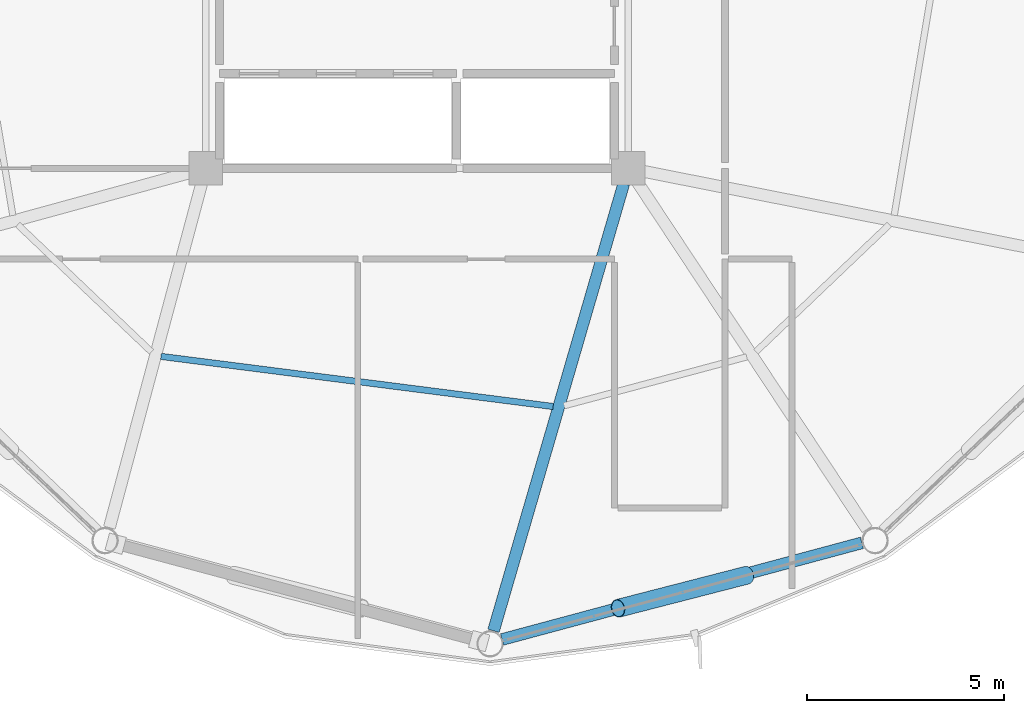
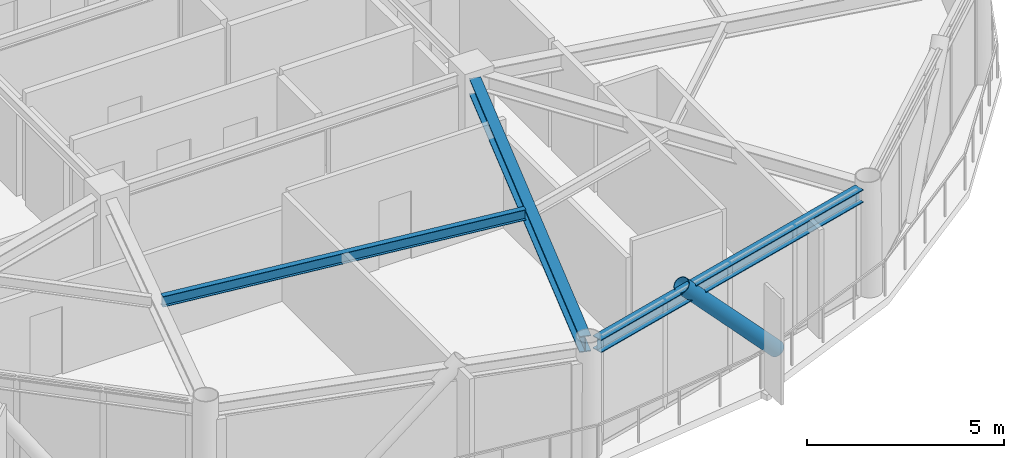
# One storey, part 8 of 28: 3 beams, 1 member.
"""IFC4 building model written with IfcOpenShell, lengths in metres."""

from ifc_helpers import new_model, si_unit, direction, frame, origin, origin_2d, place, context, subcontext, project, spatial, hollow_circle, i_section, extrude, material, material_profile, profile_set, type_object, element, save


model = new_model("IFC4")

# Units and contexts
model_context = context("Model", 3, precision=1e-05, world=origin(), true_north=direction((0.0, 1.0)))
body_context = subcontext(model_context, "Body", "Model", "MODEL_VIEW")
ifc_project = project(units=[si_unit("LENGTHUNIT", "METRE"), si_unit("AREAUNIT", "SQUARE_METRE"), si_unit("VOLUMEUNIT", "CUBIC_METRE"), si_unit("PLANEANGLEUNIT", "RADIAN"), si_unit("MASSUNIT", "GRAM", prefix="KILO")], contexts=[model_context])

# Site, building, storey
site_placement = place(None, origin())
site = spatial("IfcSite", under=ifc_project, at=site_placement, CompositionType="ELEMENT")
building_placement = place(site_placement, origin())
building = spatial("IfcBuilding", under=site, at=building_placement, Name="Varnakorn Sky Granary", CompositionType="ELEMENT")
storey_placement = place(building_placement, frame((0.0, 0.0, 186.0)))
storey = spatial("IfcBuildingStorey", under=building, at=storey_placement, Name="L46", CompositionType="ELEMENT", Elevation=186.0)

# Beams
ifc_material_1 = material(Name="Steel S355JR", Category="steel")
ifc_material_profile_1 = material_profile(ifc_material_1, i_section(OverallWidth=0.300048828125, OverallDepth=0.5, WebThickness=0.014404296875, FlangeThickness=0.028076171875, at=origin_2d()), Name="HE 500 B")
ifc_profile_set_1 = profile_set([ifc_material_profile_1], Name="Steel S355JR")
beam_type_1 = type_object("IfcBeamType", Name="BM-RAD-Z4", PredefinedType="BEAM", material=ifc_profile_set_1)
beam_1_placement = place(storey_placement, frame((8.23681640625, -6.98876953125, 3.110107421875), z_axis=(-0.279693167759, -0.960089439536, 0.0), x_axis=(0.960089439536, -0.279693167759, 0.0)))
element("IfcBeam", 1, at=beam_1_placement, inside=storey, type_object=beam_type_1, Name="Radial Floor Girder RG10 L46", PredefinedType="BEAM", context=body_context, shape_type="SweptSolid", body=[
    extrude(i_section(OverallWidth=0.300048828125, OverallDepth=0.5, WebThickness=0.014404296875, FlangeThickness=0.028076171875, at=origin_2d()), origin(), (0.0, 0.0, 1.0), 11.79443359375),
])
ifc_material_profile_2 = material_profile(ifc_material_1, i_section(OverallWidth=0.159912109375, OverallDepth=0.330078125, WebThickness=0.007568359375, FlangeThickness=0.011474609375, at=origin_2d()), Name="IPE 330")
ifc_profile_set_2 = profile_set([ifc_material_profile_2], Name="Steel S355JR")
beam_type_2 = type_object("IfcBeamType", Name="BM-SEC-Z4", PredefinedType="BEAM", material=ifc_profile_set_2)
beam_2_placement = place(storey_placement, frame((-3.48388671875, -11.36328125, 3.195068359375), z_axis=(0.991930088312, -0.12678603985, 0.0), x_axis=(0.12678603985, 0.991930088312, 0.0)))
element("IfcBeam", 2, at=beam_2_placement, inside=storey, type_object=beam_type_2, Name="Secondary Floor Chord Beam MSB09 L46", PredefinedType="BEAM", context=body_context, shape_type="SweptSolid", body=[
    extrude(i_section(OverallWidth=0.159912109375, OverallDepth=0.330078125, WebThickness=0.007568359375, FlangeThickness=0.011474609375, at=origin_2d()), origin(), (0.0, 0.0, 1.0), 10.01318359375),
])
ifc_material_profile_3 = material_profile(ifc_material_1, i_section(OverallWidth=0.300048828125, OverallDepth=0.39990234375, WebThickness=0.013427734375, FlangeThickness=0.02392578125, at=origin_2d()), Name="HE 400 B")
ifc_profile_set_3 = profile_set([ifc_material_profile_3], Name="Steel S355JR")
beam_type_3 = type_object("IfcBeamType", Name="BM-SPD-Z4", PredefinedType="SPANDREL", material=ifc_profile_set_3)
beam_3_placement = place(storey_placement, frame((5.154296875, -18.533203125, 3.159912109375), z_axis=(0.965778687418, 0.259367551806, 0.0), x_axis=(-0.259367551806, 0.965778687418, 0.0)))
element("IfcBeam", 3, at=beam_3_placement, inside=storey, type_object=beam_type_3, Name="Perimeter Spandrel Ring Beam RB10 L46", PredefinedType="SPANDREL", context=body_context, shape_type="SweptSolid", body=[
    extrude(i_section(OverallWidth=0.300048828125, OverallDepth=0.39990234375, WebThickness=0.013427734375, FlangeThickness=0.02392578125, at=origin_2d()), origin(), (0.0, 0.0, 1.0), 9.4365234375),
])

# Member
ifc_material_2 = material(Name="Steel S460M", Category="steel")
ifc_material_profile_4 = material_profile(ifc_material_2, hollow_circle(Radius=0.228515625, WallThickness=0.01611328125, at=origin_2d()), Name="CHS 457x16")
ifc_profile_set_4 = profile_set([ifc_material_profile_4], Name="Steel S460M")
member_type = type_object("IfcMemberType", Name="MB-DIAG-T3", PredefinedType="BRACE", material=ifc_profile_set_4)
member_placement = place(storey_placement, frame((11.35400390625, -16.904541015625, -0.1298828125), z_axis=(-0.659833905546, -0.169870452565, 0.731958500489), x_axis=(0.249314813435, -0.968422492408, 0.0)))
element("IfcMember", 4, at=member_placement, inside=storey, type_object=member_type, Name="Perimeter CHS Diagrid Brace DG10 L46", PredefinedType="BRACE", context=body_context, shape_type="SweptSolid", body=[
    extrude(hollow_circle(Radius=0.228515625, WallThickness=0.01611328125, at=origin_2d()), origin(), (0.0, 0.0, 1.0), 4.945556640625),
])

save(model, "model.ifc")
